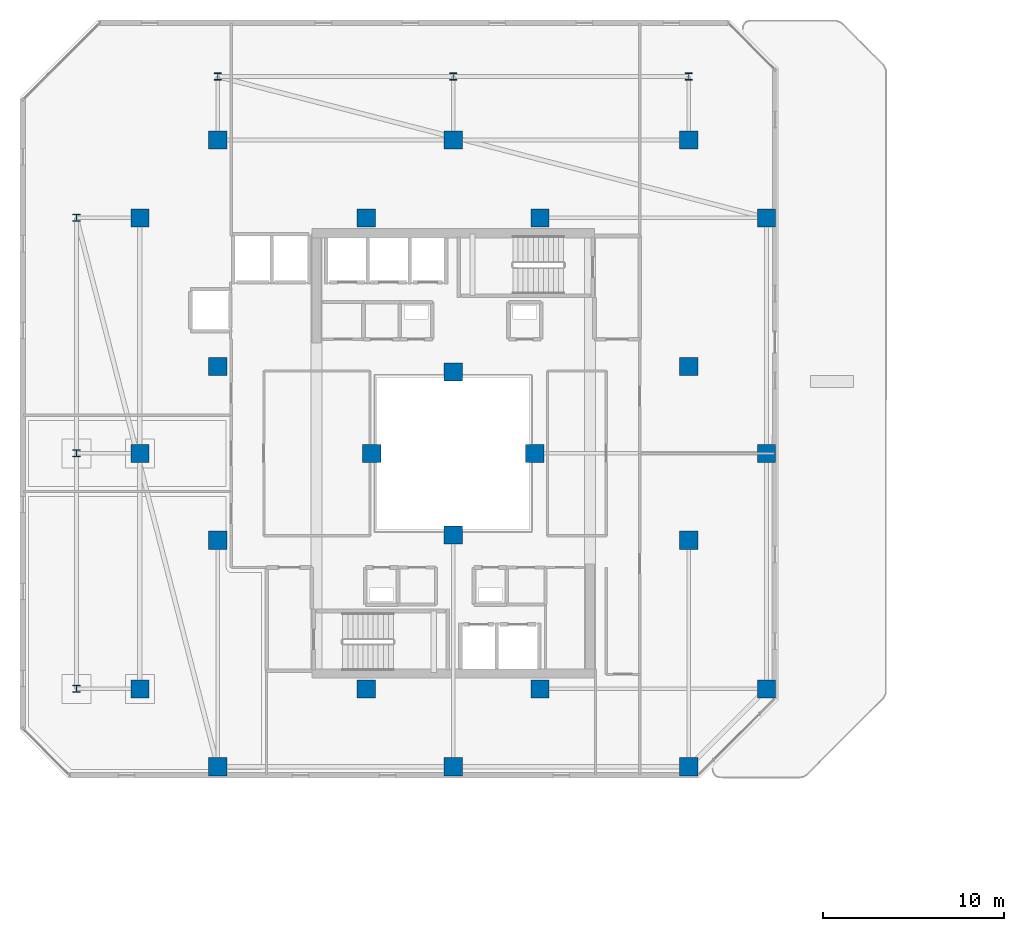
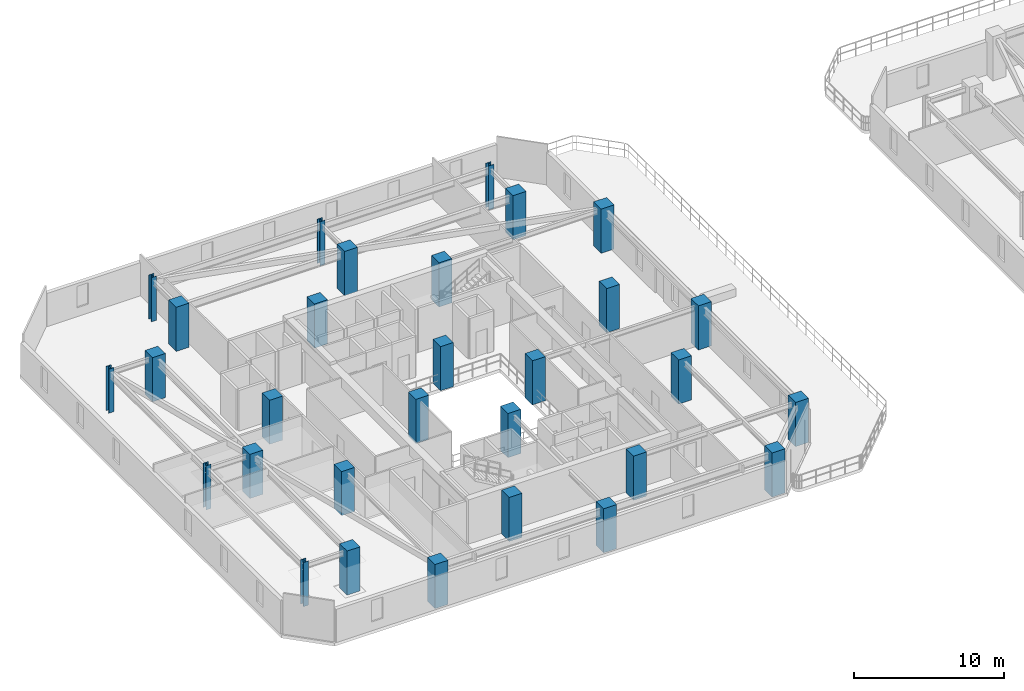
# One storey, part 1 of 32: 30 columns.
"""IFC4 building model written with IfcOpenShell, lengths in metres."""

from ifc_helpers import new_model, si_unit, direction, frame, origin, origin_2d, place, context, subcontext, project, spatial, rectangle, i_section, extrude, material, material_profile, profile_set, type_object, element, save


model = new_model("IFC4")

# Units and contexts
model_context = context("Model", 3, precision=1e-05, world=origin(), true_north=direction((0.0, 1.0)))
body_context = subcontext(model_context, "Body", "Model", "MODEL_VIEW")
ifc_project = project(units=[si_unit("LENGTHUNIT", "METRE"), si_unit("AREAUNIT", "SQUARE_METRE"), si_unit("VOLUMEUNIT", "CUBIC_METRE"), si_unit("PLANEANGLEUNIT", "RADIAN"), si_unit("MASSUNIT", "GRAM", prefix="KILO")], contexts=[model_context])

# Site, building, storey
site_placement = place(None, origin())
site = spatial("IfcSite", under=ifc_project, at=site_placement, CompositionType="ELEMENT")
building_placement = place(site_placement, origin())
building = spatial("IfcBuilding", under=site, at=building_placement, Name="Thornwick Lancets Civic Towers", CompositionType="ELEMENT")
storey_placement = place(building_placement, frame((0.0, 0.0, 200.10009765625)))
storey = spatial("IfcBuildingStorey", under=building, at=storey_placement, Name="L53", CompositionType="ELEMENT", Elevation=200.10009765625)

# Columns
ifc_material_1 = material(Name="Concrete C50/60", Category="concrete")
ifc_material_profile_1 = material_profile(ifc_material_1, rectangle(XDim=1.0, YDim=1.0, at=origin_2d()), Name="RC 1000x1000")
ifc_profile_set_1 = profile_set([ifc_material_profile_1], Name="Concrete C50/60")
column_type_1 = type_object("IfcColumnType", Name="COL_RC_1000", PredefinedType="COLUMN", material=ifc_profile_set_1)
for number, where, z_axis, x_axis, name in (
    (1, (12.5, 9.699951171875, 0.0), (0.0, 0.0, 1.0), (1.0, 0.0, 0.0), "L53 Spine Mega-Column A01"),
    (2, (25.5, 9.699951171875, 0.0), (0.0, 0.0, 1.0), (1.0, 0.0, 0.0), "L53 Spine Mega-Column A02"),
    (3, (38.5, 9.699951171875, 0.0), (0.0, 0.0, 1.0), (1.0, 0.0, 0.0), "L53 Spine Mega-Column A03"),
    (4, (42.800048828125, 14.0, 0.0), (0.0, 0.0, 1.0), (1.0, 0.0, 0.0), "L53 Spine Mega-Column A04"),
    (5, (42.800048828125, 27.0, 0.0), (0.0, 0.0, 1.0), (1.0, 0.0, 0.0), "L53 Spine Mega-Column A05"),
    (6, (42.800048828125, 40.0, 0.0), (0.0, 0.0, 1.0), (1.0, 0.0, 0.0), "L53 Spine Mega-Column A06"),
    (7, (12.5, 44.300048828125, 0.0), (0.0, 0.0, 1.0), (1.0, 0.0, 0.0), "L53 Spine Mega-Column A07"),
    (8, (25.5, 44.300048828125, 0.0), (0.0, 0.0, 1.0), (1.0, 0.0, 0.0), "L53 Spine Mega-Column A08"),
    (9, (38.5, 44.300048828125, 0.0), (0.0, 0.0, 1.0), (1.0, 0.0, 0.0), "L53 Spine Mega-Column A09"),
    (10, (8.199951171875, 14.0, 0.0), (0.0, 0.0, 1.0), (1.0, 0.0, 0.0), "L53 Spine Mega-Column A10"),
    (11, (8.199951171875, 27.0, 0.0), (0.0, 0.0, 1.0), (1.0, 0.0, 0.0), "L53 Spine Mega-Column A11"),
    (12, (8.199951171875, 40.0, 0.0), (0.0, 0.0, 1.0), (1.0, 0.0, 0.0), "L53 Spine Mega-Column A12"),
    (13, (12.5, 22.199951171875, 0.0), (0.0, 0.0, 1.0), (1.0, 0.0, 0.0), "L53 Spine Mega-Column A13"),
    (14, (38.5, 22.199951171875, 0.0), (0.0, 0.0, 1.0), (1.0, 0.0, 0.0), "L53 Spine Mega-Column A14"),
    (15, (12.5, 31.800048828125, 0.0), (0.0, 0.0, 1.0), (1.0, 0.0, 0.0), "L53 Spine Mega-Column A15"),
    (16, (38.5, 31.800048828125, 0.0), (0.0, 0.0, 1.0), (1.0, 0.0, 0.0), "L53 Spine Mega-Column A16"),
    (17, (20.699951171875, 14.0, 0.0), (0.0, 0.0, 1.0), (1.0, 0.0, 0.0), "L53 Spine Mega-Column A17"),
    (18, (30.300048828125, 14.0, 0.0), (0.0, 0.0, 1.0), (1.0, 0.0, 0.0), "L53 Spine Mega-Column A18"),
    (19, (20.699951171875, 40.0, 0.0), (0.0, 0.0, 1.0), (1.0, 0.0, 0.0), "L53 Spine Mega-Column A19"),
    (20, (30.300048828125, 40.0, 0.0), (0.0, 0.0, 1.0), (1.0, 0.0, 0.0), "L53 Spine Mega-Column A20"),
    (21, (25.5, 22.5, 0.0), (0.0, 0.0, 1.0), (1.0, 0.0, 0.0), "L53 Spine Mega-Column A21"),
    (22, (25.5, 31.5, 0.0), (0.0, 0.0, 1.0), (1.0, 0.0, 0.0), "L53 Spine Mega-Column A22"),
    (23, (21.0, 27.0, 0.0), (0.0, 0.0, 1.0), (1.0, 0.0, 0.0), "L53 Spine Mega-Column A23"),
    (24, (30.0, 27.0, 0.0), (0.0, 0.0, 1.0), (1.0, 0.0, 0.0), "L53 Spine Mega-Column A24"),
):
    element("IfcColumn", number, at=place(storey_placement, frame(where, z_axis=z_axis, x_axis=x_axis)), inside=storey, type_object=column_type_1, Name=name, PredefinedType="COLUMN", context=body_context, shape_type="SweptSolid", body=[
        extrude(rectangle(XDim=1.0, YDim=1.0, at=origin_2d()), origin(), (0.0, 0.0, 1.0), 3.599853515625),
    ])
ifc_material_2 = material(Name="Steel S355JR", Category="steel")
ifc_material_profile_2 = material_profile(ifc_material_2, i_section(OverallWidth=0.39892578125, OverallDepth=0.3935546875, WebThickness=0.022705078125, FlangeThickness=0.03662109375, FilletRadius=0.01513671875, at=origin_2d()), Name="UKC 356x406x287")
ifc_profile_set_2 = profile_set([ifc_material_profile_2], Name="Steel S355JR")
column_type_2 = type_object("IfcColumnType", Name="COL_UKC_287", PredefinedType="COLUMN", material=ifc_profile_set_2)
for number, where, z_axis, x_axis, name in (
    (25, (12.5, 47.800048828125, 0.0), (0.0, 0.0, 1.0), (1.0, 0.0, 0.0), "L53 Block Perimeter Column A07"),
    (26, (25.5, 47.800048828125, 0.0), (0.0, 0.0, 1.0), (1.0, 0.0, 0.0), "L53 Block Perimeter Column A08"),
    (27, (38.5, 47.800048828125, 0.0), (0.0, 0.0, 1.0), (1.0, 0.0, 0.0), "L53 Block Perimeter Column A09"),
    (28, (4.699951171875, 14.0, 0.0), (0.0, 0.0, 1.0), (1.0, 0.0, 0.0), "L53 Block Perimeter Column A10"),
    (29, (4.699951171875, 27.0, 0.0), (0.0, 0.0, 1.0), (1.0, 0.0, 0.0), "L53 Block Perimeter Column A11"),
    (30, (4.699951171875, 40.0, 0.0), (0.0, 0.0, 1.0), (1.0, 0.0, 0.0), "L53 Block Perimeter Column A12"),
):
    element("IfcColumn", number, at=place(storey_placement, frame(where, z_axis=z_axis, x_axis=x_axis)), inside=storey, type_object=column_type_2, Name=name, PredefinedType="COLUMN", context=body_context, shape_type="SweptSolid", body=[
        extrude(i_section(OverallWidth=0.39892578125, OverallDepth=0.3935546875, WebThickness=0.022705078125, FlangeThickness=0.03662109375, FilletRadius=0.01513671875, at=origin_2d()), origin(), (0.0, 0.0, 1.0), 3.599853515625),
    ])

save(model, "model.ifc")
